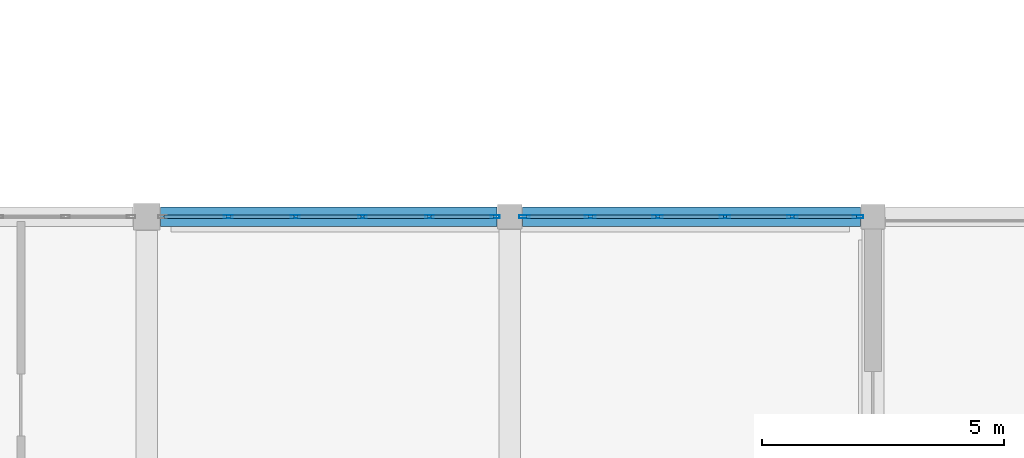
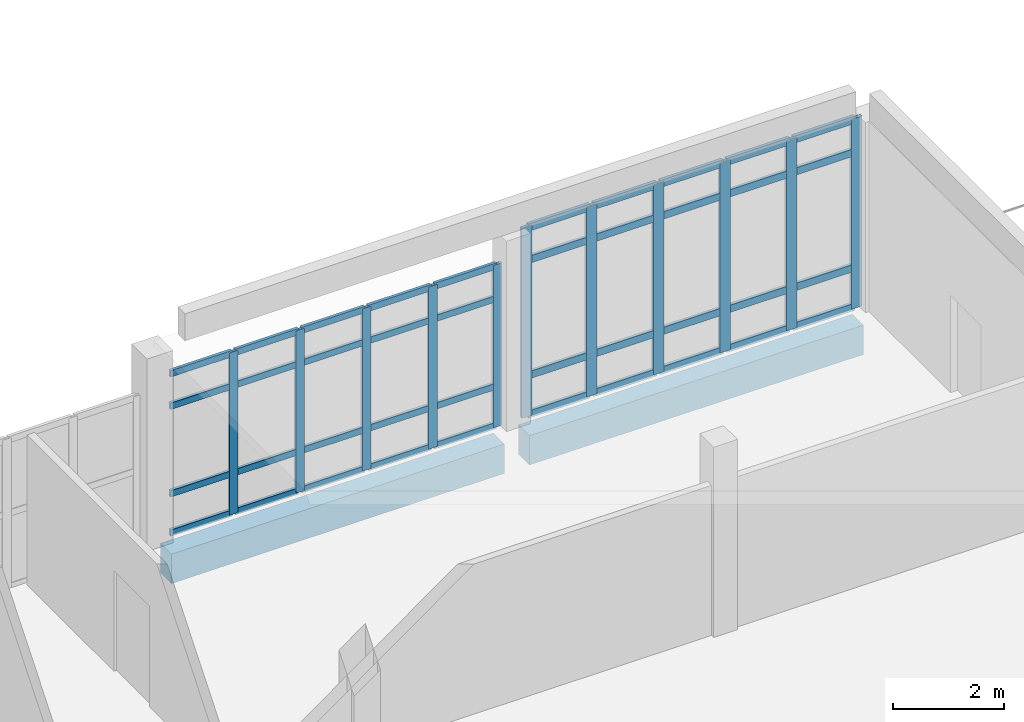
# One storey, part 70 of 164: 51 members, 2 beams, 2 elements without a shape of their own.
"""IFC4 building model written with IfcOpenShell, lengths in metres."""

from ifc_helpers import new_model, si_unit, direction, frame, origin, origin_2d, place, context, subcontext, project, spatial, rectangle, hollow_rectangle, extrude, material, layer, layer_set, material_profile, profile_set, type_object, element, aggregate, save


model = new_model("IFC4")

# Units and contexts
model_context = context("Model", 3, precision=1e-05, world=origin(), true_north=direction((0.0, 1.0)))
body_context = subcontext(model_context, "Body", "Model", "MODEL_VIEW")
ifc_project = project(units=[si_unit("LENGTHUNIT", "METRE"), si_unit("AREAUNIT", "SQUARE_METRE"), si_unit("VOLUMEUNIT", "CUBIC_METRE"), si_unit("PLANEANGLEUNIT", "RADIAN"), si_unit("MASSUNIT", "GRAM", prefix="KILO")], contexts=[model_context])

# Site, building, storey
site_placement = place(None, origin())
site = spatial("IfcSite", under=ifc_project, at=site_placement, CompositionType="ELEMENT")
building_placement = place(site_placement, origin())
building = spatial("IfcBuilding", under=site, at=building_placement, Name="Mawjan Specialist Oncology Clinic", CompositionType="ELEMENT")
storey_placement = place(building_placement, frame((0.0, 0.0, 5.0)))
storey = spatial("IfcBuildingStorey", under=building, at=storey_placement, Name="L01", CompositionType="ELEMENT", Elevation=5.0)

# Curtain wall, members
ifc_material_1 = material(Name="Unitised spectrally selective aluminium curtain wall", Category="aluminium")
ifc_layer_1 = layer(ifc_material_1, 0.179931640625, Name="Unitised spectrally selective aluminium curtain wall", Category="aluminium")
ifc_layer_set_1 = layer_set([ifc_layer_1], Name="Unitised spectrally selective aluminium curtain wall")
curtain_wall_type_1 = type_object("IfcCurtainWallType", Name="CW-79", PredefinedType="NOTDEFINED", material=ifc_layer_set_1)
curtain_wall_1_placement = place(storey_placement, origin())
curtain_wall_1 = element("IfcCurtainWall", 1, at=curtain_wall_1_placement, inside=storey, type_object=curtain_wall_type_1, Name="L01 Unitised Curtain Wall CW-L01-154", PredefinedType="NOTDEFINED")
ifc_material_2 = material(Name="Thermally broken aluminium 6063-T6", Category="aluminium")
ifc_material_profile_1 = material_profile(ifc_material_2, hollow_rectangle(XDim=0.06494140625, YDim=0.179931640625, WallThickness=0.00390625, at=origin_2d()), Name="ALU MULLION 180x65x4", Category="aluminium")
ifc_profile_set_1 = profile_set([ifc_material_profile_1], Name="Thermally broken aluminium 6063-T6")
member_type_1 = type_object("IfcMemberType", Name="CW-M180", PredefinedType="MULLION", material=ifc_profile_set_1)
member_1_placement = place(storey_placement, frame((16.681884765625, 75.800048828125, 0.0), z_axis=(0.0, 0.0, 1.0), x_axis=(0.0, 1.0, 0.0)))
member_1 = element("IfcMember", 2, at=member_1_placement, type_object=member_type_1, Name="CW-79 mullion 2", PredefinedType="MULLION", context=body_context, shape_type="SweptSolid", body=[
    extrude(hollow_rectangle(XDim=0.06494140625, YDim=0.179931640625, WallThickness=0.00390625, at=origin_2d()), origin(), (0.0, 0.0, 1.0), 3.5849609375),
])
member_2_placement = place(storey_placement, frame((18.069091796875, 75.800048828125, 0.0), z_axis=(0.0, 0.0, 1.0), x_axis=(0.0, 1.0, 0.0)))
member_2 = element("IfcMember", 3, at=member_2_placement, type_object=member_type_1, Name="CW-79 mullion 3", PredefinedType="MULLION", context=body_context, shape_type="SweptSolid", body=[
    extrude(hollow_rectangle(XDim=0.06494140625, YDim=0.179931640625, WallThickness=0.00390625, at=origin_2d()), origin(), (0.0, 0.0, 1.0), 3.5849609375),
])
member_3_placement = place(storey_placement, frame((19.4560546875, 75.800048828125, 0.0), z_axis=(0.0, 0.0, 1.0), x_axis=(0.0, 1.0, 0.0)))
member_3 = element("IfcMember", 4, at=member_3_placement, type_object=member_type_1, Name="CW-79 mullion 4", PredefinedType="MULLION", context=body_context, shape_type="SweptSolid", body=[
    extrude(hollow_rectangle(XDim=0.06494140625, YDim=0.179931640625, WallThickness=0.00390625, at=origin_2d()), origin(), (0.0, 0.0, 1.0), 3.5849609375),
])
member_4_placement = place(storey_placement, frame((20.843017578125, 75.800048828125, 0.0), z_axis=(0.0, 0.0, 1.0), x_axis=(0.0, 1.0, 0.0)))
member_4 = element("IfcMember", 5, at=member_4_placement, type_object=member_type_1, Name="CW-79 mullion 5", PredefinedType="MULLION", context=body_context, shape_type="SweptSolid", body=[
    extrude(hollow_rectangle(XDim=0.06494140625, YDim=0.179931640625, WallThickness=0.00390625, at=origin_2d()), origin(), (0.0, 0.0, 1.0), 3.5849609375),
])
member_5_placement = place(storey_placement, frame((22.197509765625, 75.800048828125, 0.0), z_axis=(0.0, 0.0, 1.0), x_axis=(0.0, 1.0, 0.0)))
member_5 = element("IfcMember", 6, at=member_5_placement, type_object=member_type_1, Name="CW-79 mullion 6", PredefinedType="MULLION", context=body_context, shape_type="SweptSolid", body=[
    extrude(hollow_rectangle(XDim=0.06494140625, YDim=0.179931640625, WallThickness=0.00390625, at=origin_2d()), origin(), (0.0, 0.0, 1.0), 3.5849609375),
])

ifc_material_3 = material(Name="Unitised spectrally selective aluminium curtain wall", Category="aluminium")
ifc_layer_2 = layer(ifc_material_3, 0.179931640625, Name="Unitised spectrally selective aluminium curtain wall", Category="aluminium")
ifc_layer_set_2 = layer_set([ifc_layer_2], Name="Unitised spectrally selective aluminium curtain wall")
curtain_wall_type_2 = type_object("IfcCurtainWallType", Name="CW-65", PredefinedType="NOTDEFINED", material=ifc_layer_set_2)
curtain_wall_2_placement = place(storey_placement, origin())
curtain_wall_2 = element("IfcCurtainWall", 7, at=curtain_wall_2_placement, inside=storey, type_object=curtain_wall_type_2, Name="L01 Unitised Curtain Wall CW-L01-155", PredefinedType="NOTDEFINED")
ifc_material_4 = material(Name="Thermally broken aluminium 6063-T6", Category="aluminium")
ifc_material_profile_2 = material_profile(ifc_material_4, hollow_rectangle(XDim=0.070068359375, YDim=0.219970703125, WallThickness=0.00390625, at=origin_2d()), Name="ALU MULLION 220x70x4", Category="aluminium")
ifc_profile_set_2 = profile_set([ifc_material_profile_2], Name="Thermally broken aluminium 6063-T6")
member_type_2 = type_object("IfcMemberType", Name="CW-M220", PredefinedType="MULLION", material=ifc_profile_set_2)
member_6_placement = place(storey_placement, frame((22.804931640625, 75.800048828125, 0.0), z_axis=(0.0, 0.0, 1.0), x_axis=(0.0, 1.0, 0.0)))
member_6 = element("IfcMember", 8, at=member_6_placement, type_object=member_type_2, Name="CW-65 mullion 1", PredefinedType="MULLION", context=body_context, shape_type="SweptSolid", body=[
    extrude(hollow_rectangle(XDim=0.070068359375, YDim=0.219970703125, WallThickness=0.00390625, at=origin_2d()), origin(), (0.0, 0.0, 1.0), 4.199951171875),
])
member_7_placement = place(storey_placement, frame((24.162109375, 75.800048828125, 0.0), z_axis=(0.0, 0.0, 1.0), x_axis=(0.0, 1.0, 0.0)))
member_7 = element("IfcMember", 9, at=member_7_placement, type_object=member_type_2, Name="CW-65 mullion 2", PredefinedType="MULLION", context=body_context, shape_type="SweptSolid", body=[
    extrude(hollow_rectangle(XDim=0.070068359375, YDim=0.219970703125, WallThickness=0.00390625, at=origin_2d()), origin(), (0.0, 0.0, 1.0), 4.199951171875),
])
member_8_placement = place(storey_placement, frame((25.553955078125, 75.800048828125, 0.0), z_axis=(0.0, 0.0, 1.0), x_axis=(0.0, 1.0, 0.0)))
member_8 = element("IfcMember", 10, at=member_8_placement, type_object=member_type_2, Name="CW-65 mullion 3", PredefinedType="MULLION", context=body_context, shape_type="SweptSolid", body=[
    extrude(hollow_rectangle(XDim=0.070068359375, YDim=0.219970703125, WallThickness=0.00390625, at=origin_2d()), origin(), (0.0, 0.0, 1.0), 4.199951171875),
])
member_9_placement = place(storey_placement, frame((26.946044921875, 75.800048828125, 0.0), z_axis=(0.0, 0.0, 1.0), x_axis=(0.0, 1.0, 0.0)))
member_9 = element("IfcMember", 11, at=member_9_placement, type_object=member_type_2, Name="CW-65 mullion 4", PredefinedType="MULLION", context=body_context, shape_type="SweptSolid", body=[
    extrude(hollow_rectangle(XDim=0.070068359375, YDim=0.219970703125, WallThickness=0.00390625, at=origin_2d()), origin(), (0.0, 0.0, 1.0), 4.199951171875),
])
member_10_placement = place(storey_placement, frame((28.337890625, 75.800048828125, 0.0), z_axis=(0.0, 0.0, 1.0), x_axis=(0.0, 1.0, 0.0)))
member_10 = element("IfcMember", 12, at=member_10_placement, type_object=member_type_2, Name="CW-65 mullion 5", PredefinedType="MULLION", context=body_context, shape_type="SweptSolid", body=[
    extrude(hollow_rectangle(XDim=0.070068359375, YDim=0.219970703125, WallThickness=0.00390625, at=origin_2d()), origin(), (0.0, 0.0, 1.0), 4.199951171875),
])
member_11_placement = place(storey_placement, frame((29.695068359375, 75.800048828125, 0.0), z_axis=(0.0, 0.0, 1.0), x_axis=(0.0, 1.0, 0.0)))
member_11 = element("IfcMember", 13, at=member_11_placement, type_object=member_type_2, Name="CW-65 mullion 6", PredefinedType="MULLION", context=body_context, shape_type="SweptSolid", body=[
    extrude(hollow_rectangle(XDim=0.070068359375, YDim=0.219970703125, WallThickness=0.00390625, at=origin_2d()), origin(), (0.0, 0.0, 1.0), 4.199951171875),
])

# Member
ifc_material_5 = material(Name="Thermally broken aluminium 6063-T6", Category="aluminium")
ifc_material_profile_3 = material_profile(ifc_material_5, hollow_rectangle(XDim=0.06494140625, YDim=0.139892578125, WallThickness=0.00390625, at=origin_2d()), Name="ALU TRANSOM 140x65x4", Category="aluminium")
ifc_profile_set_3 = profile_set([ifc_material_profile_3], Name="Thermally broken aluminium 6063-T6")
member_type_3 = type_object("IfcMemberType", Name="CW-T140", PredefinedType="USERDEFINED", material=ifc_profile_set_3)
member_12_placement = place(storey_placement, frame((15.360107421875, 75.800048828125, 0.032470703125), z_axis=(1.0, 0.0, 0.0), x_axis=(0.0, 1.0, 0.0)))
member_12 = element("IfcMember", 14, at=member_12_placement, type_object=member_type_3, Name="CW-79 transom 1.1", ObjectType="TRANSOM", PredefinedType="USERDEFINED", context=body_context, shape_type="SweptSolid", body=[
    extrude(hollow_rectangle(XDim=0.06494140625, YDim=0.139892578125, WallThickness=0.00390625, at=origin_2d()), origin(), (0.0, 0.0, 1.0), 1.289306640625),
])

member_13_placement = place(storey_placement, frame((15.360107421875, 75.800048828125, 0.89990234375), z_axis=(1.0, 0.0, 0.0), x_axis=(0.0, 1.0, 0.0)))
member_13 = element("IfcMember", 15, at=member_13_placement, type_object=member_type_3, Name="CW-79 transom 1.2", ObjectType="TRANSOM", PredefinedType="USERDEFINED", context=body_context, shape_type="SweptSolid", body=[
    extrude(hollow_rectangle(XDim=0.06494140625, YDim=0.139892578125, WallThickness=0.00390625, at=origin_2d()), origin(), (0.0, 0.0, 1.0), 1.289306640625),
])

member_14_placement = place(storey_placement, frame((15.360107421875, 75.800048828125, 2.8349609375), z_axis=(1.0, 0.0, 0.0), x_axis=(0.0, 1.0, 0.0)))
member_14 = element("IfcMember", 16, at=member_14_placement, type_object=member_type_3, Name="CW-79 transom 1.3", ObjectType="TRANSOM", PredefinedType="USERDEFINED", context=body_context, shape_type="SweptSolid", body=[
    extrude(hollow_rectangle(XDim=0.06494140625, YDim=0.139892578125, WallThickness=0.00390625, at=origin_2d()), origin(), (0.0, 0.0, 1.0), 1.289306640625),
])

member_15_placement = place(storey_placement, frame((15.360107421875, 75.800048828125, 3.552490234375), z_axis=(1.0, 0.0, 0.0), x_axis=(0.0, 1.0, 0.0)))
member_15 = element("IfcMember", 17, at=member_15_placement, type_object=member_type_3, Name="CW-79 transom 1.4", ObjectType="TRANSOM", PredefinedType="USERDEFINED", context=body_context, shape_type="SweptSolid", body=[
    extrude(hollow_rectangle(XDim=0.06494140625, YDim=0.139892578125, WallThickness=0.00390625, at=origin_2d()), origin(), (0.0, 0.0, 1.0), 1.289306640625),
])

member_16_placement = place(storey_placement, frame((16.714599609375, 75.800048828125, 0.032470703125), z_axis=(1.0, 0.0, 0.0), x_axis=(0.0, 1.0, 0.0)))
member_16 = element("IfcMember", 18, at=member_16_placement, type_object=member_type_3, Name="CW-79 transom 2.1", ObjectType="TRANSOM", PredefinedType="USERDEFINED", context=body_context, shape_type="SweptSolid", body=[
    extrude(hollow_rectangle(XDim=0.06494140625, YDim=0.139892578125, WallThickness=0.00390625, at=origin_2d()), origin(), (0.0, 0.0, 1.0), 1.322021484375),
])

member_17_placement = place(storey_placement, frame((16.714599609375, 75.800048828125, 0.89990234375), z_axis=(1.0, 0.0, 0.0), x_axis=(0.0, 1.0, 0.0)))
member_17 = element("IfcMember", 19, at=member_17_placement, type_object=member_type_3, Name="CW-79 transom 2.2", ObjectType="TRANSOM", PredefinedType="USERDEFINED", context=body_context, shape_type="SweptSolid", body=[
    extrude(hollow_rectangle(XDim=0.06494140625, YDim=0.139892578125, WallThickness=0.00390625, at=origin_2d()), origin(), (0.0, 0.0, 1.0), 1.322021484375),
])

member_18_placement = place(storey_placement, frame((16.714599609375, 75.800048828125, 2.8349609375), z_axis=(1.0, 0.0, 0.0), x_axis=(0.0, 1.0, 0.0)))
member_18 = element("IfcMember", 20, at=member_18_placement, type_object=member_type_3, Name="CW-79 transom 2.3", ObjectType="TRANSOM", PredefinedType="USERDEFINED", context=body_context, shape_type="SweptSolid", body=[
    extrude(hollow_rectangle(XDim=0.06494140625, YDim=0.139892578125, WallThickness=0.00390625, at=origin_2d()), origin(), (0.0, 0.0, 1.0), 1.322021484375),
])

member_19_placement = place(storey_placement, frame((16.714599609375, 75.800048828125, 3.552490234375), z_axis=(1.0, 0.0, 0.0), x_axis=(0.0, 1.0, 0.0)))
member_19 = element("IfcMember", 21, at=member_19_placement, type_object=member_type_3, Name="CW-79 transom 2.4", ObjectType="TRANSOM", PredefinedType="USERDEFINED", context=body_context, shape_type="SweptSolid", body=[
    extrude(hollow_rectangle(XDim=0.06494140625, YDim=0.139892578125, WallThickness=0.00390625, at=origin_2d()), origin(), (0.0, 0.0, 1.0), 1.322021484375),
])

member_20_placement = place(storey_placement, frame((18.1015625, 75.800048828125, 0.032470703125), z_axis=(1.0, 0.0, 0.0), x_axis=(0.0, 1.0, 0.0)))
member_20 = element("IfcMember", 22, at=member_20_placement, type_object=member_type_3, Name="CW-79 transom 3.1", ObjectType="TRANSOM", PredefinedType="USERDEFINED", context=body_context, shape_type="SweptSolid", body=[
    extrude(hollow_rectangle(XDim=0.06494140625, YDim=0.139892578125, WallThickness=0.00390625, at=origin_2d()), origin(), (0.0, 0.0, 1.0), 1.322021484375),
])

member_21_placement = place(storey_placement, frame((18.1015625, 75.800048828125, 0.89990234375), z_axis=(1.0, 0.0, 0.0), x_axis=(0.0, 1.0, 0.0)))
member_21 = element("IfcMember", 23, at=member_21_placement, type_object=member_type_3, Name="CW-79 transom 3.2", ObjectType="TRANSOM", PredefinedType="USERDEFINED", context=body_context, shape_type="SweptSolid", body=[
    extrude(hollow_rectangle(XDim=0.06494140625, YDim=0.139892578125, WallThickness=0.00390625, at=origin_2d()), origin(), (0.0, 0.0, 1.0), 1.322021484375),
])

member_22_placement = place(storey_placement, frame((18.1015625, 75.800048828125, 2.8349609375), z_axis=(1.0, 0.0, 0.0), x_axis=(0.0, 1.0, 0.0)))
member_22 = element("IfcMember", 24, at=member_22_placement, type_object=member_type_3, Name="CW-79 transom 3.3", ObjectType="TRANSOM", PredefinedType="USERDEFINED", context=body_context, shape_type="SweptSolid", body=[
    extrude(hollow_rectangle(XDim=0.06494140625, YDim=0.139892578125, WallThickness=0.00390625, at=origin_2d()), origin(), (0.0, 0.0, 1.0), 1.322021484375),
])

member_23_placement = place(storey_placement, frame((18.1015625, 75.800048828125, 3.552490234375), z_axis=(1.0, 0.0, 0.0), x_axis=(0.0, 1.0, 0.0)))
member_23 = element("IfcMember", 25, at=member_23_placement, type_object=member_type_3, Name="CW-79 transom 3.4", ObjectType="TRANSOM", PredefinedType="USERDEFINED", context=body_context, shape_type="SweptSolid", body=[
    extrude(hollow_rectangle(XDim=0.06494140625, YDim=0.139892578125, WallThickness=0.00390625, at=origin_2d()), origin(), (0.0, 0.0, 1.0), 1.322021484375),
])

member_24_placement = place(storey_placement, frame((19.488525390625, 75.800048828125, 0.032470703125), z_axis=(1.0, 0.0, 0.0), x_axis=(0.0, 1.0, 0.0)))
member_24 = element("IfcMember", 26, at=member_24_placement, type_object=member_type_3, Name="CW-79 transom 4.1", ObjectType="TRANSOM", PredefinedType="USERDEFINED", context=body_context, shape_type="SweptSolid", body=[
    extrude(hollow_rectangle(XDim=0.06494140625, YDim=0.139892578125, WallThickness=0.00390625, at=origin_2d()), origin(), (0.0, 0.0, 1.0), 1.322021484375),
])

member_25_placement = place(storey_placement, frame((19.488525390625, 75.800048828125, 0.89990234375), z_axis=(1.0, 0.0, 0.0), x_axis=(0.0, 1.0, 0.0)))
member_25 = element("IfcMember", 27, at=member_25_placement, type_object=member_type_3, Name="CW-79 transom 4.2", ObjectType="TRANSOM", PredefinedType="USERDEFINED", context=body_context, shape_type="SweptSolid", body=[
    extrude(hollow_rectangle(XDim=0.06494140625, YDim=0.139892578125, WallThickness=0.00390625, at=origin_2d()), origin(), (0.0, 0.0, 1.0), 1.322021484375),
])

member_26_placement = place(storey_placement, frame((19.488525390625, 75.800048828125, 2.8349609375), z_axis=(1.0, 0.0, 0.0), x_axis=(0.0, 1.0, 0.0)))
member_26 = element("IfcMember", 28, at=member_26_placement, type_object=member_type_3, Name="CW-79 transom 4.3", ObjectType="TRANSOM", PredefinedType="USERDEFINED", context=body_context, shape_type="SweptSolid", body=[
    extrude(hollow_rectangle(XDim=0.06494140625, YDim=0.139892578125, WallThickness=0.00390625, at=origin_2d()), origin(), (0.0, 0.0, 1.0), 1.322021484375),
])

member_27_placement = place(storey_placement, frame((19.488525390625, 75.800048828125, 3.552490234375), z_axis=(1.0, 0.0, 0.0), x_axis=(0.0, 1.0, 0.0)))
member_27 = element("IfcMember", 29, at=member_27_placement, type_object=member_type_3, Name="CW-79 transom 4.4", ObjectType="TRANSOM", PredefinedType="USERDEFINED", context=body_context, shape_type="SweptSolid", body=[
    extrude(hollow_rectangle(XDim=0.06494140625, YDim=0.139892578125, WallThickness=0.00390625, at=origin_2d()), origin(), (0.0, 0.0, 1.0), 1.322021484375),
])

member_28_placement = place(storey_placement, frame((20.87548828125, 75.800048828125, 0.032470703125), z_axis=(1.0, 0.0, 0.0), x_axis=(0.0, 1.0, 0.0)))
member_28 = element("IfcMember", 30, at=member_28_placement, type_object=member_type_3, Name="CW-79 transom 5.1", ObjectType="TRANSOM", PredefinedType="USERDEFINED", context=body_context, shape_type="SweptSolid", body=[
    extrude(hollow_rectangle(XDim=0.06494140625, YDim=0.139892578125, WallThickness=0.00390625, at=origin_2d()), origin(), (0.0, 0.0, 1.0), 1.28955078125),
])

member_29_placement = place(storey_placement, frame((20.87548828125, 75.800048828125, 0.89990234375), z_axis=(1.0, 0.0, 0.0), x_axis=(0.0, 1.0, 0.0)))
member_29 = element("IfcMember", 31, at=member_29_placement, type_object=member_type_3, Name="CW-79 transom 5.2", ObjectType="TRANSOM", PredefinedType="USERDEFINED", context=body_context, shape_type="SweptSolid", body=[
    extrude(hollow_rectangle(XDim=0.06494140625, YDim=0.139892578125, WallThickness=0.00390625, at=origin_2d()), origin(), (0.0, 0.0, 1.0), 1.28955078125),
])

member_30_placement = place(storey_placement, frame((20.87548828125, 75.800048828125, 2.8349609375), z_axis=(1.0, 0.0, 0.0), x_axis=(0.0, 1.0, 0.0)))
member_30 = element("IfcMember", 32, at=member_30_placement, type_object=member_type_3, Name="CW-79 transom 5.3", ObjectType="TRANSOM", PredefinedType="USERDEFINED", context=body_context, shape_type="SweptSolid", body=[
    extrude(hollow_rectangle(XDim=0.06494140625, YDim=0.139892578125, WallThickness=0.00390625, at=origin_2d()), origin(), (0.0, 0.0, 1.0), 1.28955078125),
])

member_31_placement = place(storey_placement, frame((20.87548828125, 75.800048828125, 3.552490234375), z_axis=(1.0, 0.0, 0.0), x_axis=(0.0, 1.0, 0.0)))
member_31 = element("IfcMember", 33, at=member_31_placement, type_object=member_type_3, Name="CW-79 transom 5.4", ObjectType="TRANSOM", PredefinedType="USERDEFINED", context=body_context, shape_type="SweptSolid", body=[
    extrude(hollow_rectangle(XDim=0.06494140625, YDim=0.139892578125, WallThickness=0.00390625, at=origin_2d()), origin(), (0.0, 0.0, 1.0), 1.28955078125),
])

aggregate(curtain_wall_1, [member_1, member_2, member_3, member_4, member_5, member_12, member_13, member_14, member_15, member_16, member_17, member_18, member_19, member_20, member_21, member_22, member_23, member_24, member_25, member_26, member_27, member_28, member_29, member_30, member_31])

ifc_material_6 = material(Name="Thermally broken aluminium 6063-T6", Category="aluminium")
ifc_material_profile_4 = material_profile(ifc_material_6, hollow_rectangle(XDim=0.070068359375, YDim=0.159912109375, WallThickness=0.00390625, at=origin_2d()), Name="ALU TRANSOM 160x70x4", Category="aluminium")
ifc_profile_set_4 = profile_set([ifc_material_profile_4], Name="Thermally broken aluminium 6063-T6")
member_type_4 = type_object("IfcMemberType", Name="CW-T160", PredefinedType="USERDEFINED", material=ifc_profile_set_4)
member_32_placement = place(storey_placement, frame((22.840087890625, 75.800048828125, 0.034912109375), z_axis=(1.0, 0.0, 0.0), x_axis=(0.0, 1.0, 0.0)))
member_32 = element("IfcMember", 34, at=member_32_placement, type_object=member_type_4, Name="CW-65 transom 1.1", ObjectType="TRANSOM", PredefinedType="USERDEFINED", context=body_context, shape_type="SweptSolid", body=[
    extrude(hollow_rectangle(XDim=0.070068359375, YDim=0.159912109375, WallThickness=0.00390625, at=origin_2d()), origin(), (0.0, 0.0, 1.0), 1.286865234375),
])

member_33_placement = place(storey_placement, frame((22.840087890625, 75.800048828125, 0.89990234375), z_axis=(1.0, 0.0, 0.0), x_axis=(0.0, 1.0, 0.0)))
member_33 = element("IfcMember", 35, at=member_33_placement, type_object=member_type_4, Name="CW-65 transom 1.2", ObjectType="TRANSOM", PredefinedType="USERDEFINED", context=body_context, shape_type="SweptSolid", body=[
    extrude(hollow_rectangle(XDim=0.070068359375, YDim=0.159912109375, WallThickness=0.00390625, at=origin_2d()), origin(), (0.0, 0.0, 1.0), 1.286865234375),
])

member_34_placement = place(storey_placement, frame((22.840087890625, 75.800048828125, 3.449951171875), z_axis=(1.0, 0.0, 0.0), x_axis=(0.0, 1.0, 0.0)))
member_34 = element("IfcMember", 36, at=member_34_placement, type_object=member_type_4, Name="CW-65 transom 1.3", ObjectType="TRANSOM", PredefinedType="USERDEFINED", context=body_context, shape_type="SweptSolid", body=[
    extrude(hollow_rectangle(XDim=0.070068359375, YDim=0.159912109375, WallThickness=0.00390625, at=origin_2d()), origin(), (0.0, 0.0, 1.0), 1.286865234375),
])

member_35_placement = place(storey_placement, frame((22.840087890625, 75.800048828125, 4.1650390625), z_axis=(1.0, 0.0, 0.0), x_axis=(0.0, 1.0, 0.0)))
member_35 = element("IfcMember", 37, at=member_35_placement, type_object=member_type_4, Name="CW-65 transom 1.4", ObjectType="TRANSOM", PredefinedType="USERDEFINED", context=body_context, shape_type="SweptSolid", body=[
    extrude(hollow_rectangle(XDim=0.070068359375, YDim=0.159912109375, WallThickness=0.00390625, at=origin_2d()), origin(), (0.0, 0.0, 1.0), 1.286865234375),
])

member_36_placement = place(storey_placement, frame((24.197021484375, 75.800048828125, 0.034912109375), z_axis=(1.0, 0.0, 0.0), x_axis=(0.0, 1.0, 0.0)))
member_36 = element("IfcMember", 38, at=member_36_placement, type_object=member_type_4, Name="CW-65 transom 2.1", ObjectType="TRANSOM", PredefinedType="USERDEFINED", context=body_context, shape_type="SweptSolid", body=[
    extrude(hollow_rectangle(XDim=0.070068359375, YDim=0.159912109375, WallThickness=0.00390625, at=origin_2d()), origin(), (0.0, 0.0, 1.0), 1.322021484375),
])

member_37_placement = place(storey_placement, frame((24.197021484375, 75.800048828125, 0.89990234375), z_axis=(1.0, 0.0, 0.0), x_axis=(0.0, 1.0, 0.0)))
member_37 = element("IfcMember", 39, at=member_37_placement, type_object=member_type_4, Name="CW-65 transom 2.2", ObjectType="TRANSOM", PredefinedType="USERDEFINED", context=body_context, shape_type="SweptSolid", body=[
    extrude(hollow_rectangle(XDim=0.070068359375, YDim=0.159912109375, WallThickness=0.00390625, at=origin_2d()), origin(), (0.0, 0.0, 1.0), 1.322021484375),
])

member_38_placement = place(storey_placement, frame((24.197021484375, 75.800048828125, 3.449951171875), z_axis=(1.0, 0.0, 0.0), x_axis=(0.0, 1.0, 0.0)))
member_38 = element("IfcMember", 40, at=member_38_placement, type_object=member_type_4, Name="CW-65 transom 2.3", ObjectType="TRANSOM", PredefinedType="USERDEFINED", context=body_context, shape_type="SweptSolid", body=[
    extrude(hollow_rectangle(XDim=0.070068359375, YDim=0.159912109375, WallThickness=0.00390625, at=origin_2d()), origin(), (0.0, 0.0, 1.0), 1.322021484375),
])

member_39_placement = place(storey_placement, frame((24.197021484375, 75.800048828125, 4.1650390625), z_axis=(1.0, 0.0, 0.0), x_axis=(0.0, 1.0, 0.0)))
member_39 = element("IfcMember", 41, at=member_39_placement, type_object=member_type_4, Name="CW-65 transom 2.4", ObjectType="TRANSOM", PredefinedType="USERDEFINED", context=body_context, shape_type="SweptSolid", body=[
    extrude(hollow_rectangle(XDim=0.070068359375, YDim=0.159912109375, WallThickness=0.00390625, at=origin_2d()), origin(), (0.0, 0.0, 1.0), 1.322021484375),
])

member_40_placement = place(storey_placement, frame((25.589111328125, 75.800048828125, 0.034912109375), z_axis=(1.0, 0.0, 0.0), x_axis=(0.0, 1.0, 0.0)))
member_40 = element("IfcMember", 42, at=member_40_placement, type_object=member_type_4, Name="CW-65 transom 3.1", ObjectType="TRANSOM", PredefinedType="USERDEFINED", context=body_context, shape_type="SweptSolid", body=[
    extrude(hollow_rectangle(XDim=0.070068359375, YDim=0.159912109375, WallThickness=0.00390625, at=origin_2d()), origin(), (0.0, 0.0, 1.0), 1.32177734375),
])

member_41_placement = place(storey_placement, frame((25.589111328125, 75.800048828125, 0.89990234375), z_axis=(1.0, 0.0, 0.0), x_axis=(0.0, 1.0, 0.0)))
member_41 = element("IfcMember", 43, at=member_41_placement, type_object=member_type_4, Name="CW-65 transom 3.2", ObjectType="TRANSOM", PredefinedType="USERDEFINED", context=body_context, shape_type="SweptSolid", body=[
    extrude(hollow_rectangle(XDim=0.070068359375, YDim=0.159912109375, WallThickness=0.00390625, at=origin_2d()), origin(), (0.0, 0.0, 1.0), 1.32177734375),
])

member_42_placement = place(storey_placement, frame((25.589111328125, 75.800048828125, 3.449951171875), z_axis=(1.0, 0.0, 0.0), x_axis=(0.0, 1.0, 0.0)))
member_42 = element("IfcMember", 44, at=member_42_placement, type_object=member_type_4, Name="CW-65 transom 3.3", ObjectType="TRANSOM", PredefinedType="USERDEFINED", context=body_context, shape_type="SweptSolid", body=[
    extrude(hollow_rectangle(XDim=0.070068359375, YDim=0.159912109375, WallThickness=0.00390625, at=origin_2d()), origin(), (0.0, 0.0, 1.0), 1.32177734375),
])

member_43_placement = place(storey_placement, frame((25.589111328125, 75.800048828125, 4.1650390625), z_axis=(1.0, 0.0, 0.0), x_axis=(0.0, 1.0, 0.0)))
member_43 = element("IfcMember", 45, at=member_43_placement, type_object=member_type_4, Name="CW-65 transom 3.4", ObjectType="TRANSOM", PredefinedType="USERDEFINED", context=body_context, shape_type="SweptSolid", body=[
    extrude(hollow_rectangle(XDim=0.070068359375, YDim=0.159912109375, WallThickness=0.00390625, at=origin_2d()), origin(), (0.0, 0.0, 1.0), 1.32177734375),
])

member_44_placement = place(storey_placement, frame((26.98095703125, 75.800048828125, 0.034912109375), z_axis=(1.0, 0.0, 0.0), x_axis=(0.0, 1.0, 0.0)))
member_44 = element("IfcMember", 46, at=member_44_placement, type_object=member_type_4, Name="CW-65 transom 4.1", ObjectType="TRANSOM", PredefinedType="USERDEFINED", context=body_context, shape_type="SweptSolid", body=[
    extrude(hollow_rectangle(XDim=0.070068359375, YDim=0.159912109375, WallThickness=0.00390625, at=origin_2d()), origin(), (0.0, 0.0, 1.0), 1.322021484375),
])

member_45_placement = place(storey_placement, frame((26.98095703125, 75.800048828125, 0.89990234375), z_axis=(1.0, 0.0, 0.0), x_axis=(0.0, 1.0, 0.0)))
member_45 = element("IfcMember", 47, at=member_45_placement, type_object=member_type_4, Name="CW-65 transom 4.2", ObjectType="TRANSOM", PredefinedType="USERDEFINED", context=body_context, shape_type="SweptSolid", body=[
    extrude(hollow_rectangle(XDim=0.070068359375, YDim=0.159912109375, WallThickness=0.00390625, at=origin_2d()), origin(), (0.0, 0.0, 1.0), 1.322021484375),
])

member_46_placement = place(storey_placement, frame((26.98095703125, 75.800048828125, 3.449951171875), z_axis=(1.0, 0.0, 0.0), x_axis=(0.0, 1.0, 0.0)))
member_46 = element("IfcMember", 48, at=member_46_placement, type_object=member_type_4, Name="CW-65 transom 4.3", ObjectType="TRANSOM", PredefinedType="USERDEFINED", context=body_context, shape_type="SweptSolid", body=[
    extrude(hollow_rectangle(XDim=0.070068359375, YDim=0.159912109375, WallThickness=0.00390625, at=origin_2d()), origin(), (0.0, 0.0, 1.0), 1.322021484375),
])

member_47_placement = place(storey_placement, frame((26.98095703125, 75.800048828125, 4.1650390625), z_axis=(1.0, 0.0, 0.0), x_axis=(0.0, 1.0, 0.0)))
member_47 = element("IfcMember", 49, at=member_47_placement, type_object=member_type_4, Name="CW-65 transom 4.4", ObjectType="TRANSOM", PredefinedType="USERDEFINED", context=body_context, shape_type="SweptSolid", body=[
    extrude(hollow_rectangle(XDim=0.070068359375, YDim=0.159912109375, WallThickness=0.00390625, at=origin_2d()), origin(), (0.0, 0.0, 1.0), 1.322021484375),
])

member_48_placement = place(storey_placement, frame((28.373046875, 75.800048828125, 0.034912109375), z_axis=(1.0, 0.0, 0.0), x_axis=(0.0, 1.0, 0.0)))
member_48 = element("IfcMember", 50, at=member_48_placement, type_object=member_type_4, Name="CW-65 transom 5.1", ObjectType="TRANSOM", PredefinedType="USERDEFINED", context=body_context, shape_type="SweptSolid", body=[
    extrude(hollow_rectangle(XDim=0.070068359375, YDim=0.159912109375, WallThickness=0.00390625, at=origin_2d()), origin(), (0.0, 0.0, 1.0), 1.286865234375),
])

member_49_placement = place(storey_placement, frame((28.373046875, 75.800048828125, 0.89990234375), z_axis=(1.0, 0.0, 0.0), x_axis=(0.0, 1.0, 0.0)))
member_49 = element("IfcMember", 51, at=member_49_placement, type_object=member_type_4, Name="CW-65 transom 5.2", ObjectType="TRANSOM", PredefinedType="USERDEFINED", context=body_context, shape_type="SweptSolid", body=[
    extrude(hollow_rectangle(XDim=0.070068359375, YDim=0.159912109375, WallThickness=0.00390625, at=origin_2d()), origin(), (0.0, 0.0, 1.0), 1.286865234375),
])

member_50_placement = place(storey_placement, frame((28.373046875, 75.800048828125, 3.449951171875), z_axis=(1.0, 0.0, 0.0), x_axis=(0.0, 1.0, 0.0)))
member_50 = element("IfcMember", 52, at=member_50_placement, type_object=member_type_4, Name="CW-65 transom 5.3", ObjectType="TRANSOM", PredefinedType="USERDEFINED", context=body_context, shape_type="SweptSolid", body=[
    extrude(hollow_rectangle(XDim=0.070068359375, YDim=0.159912109375, WallThickness=0.00390625, at=origin_2d()), origin(), (0.0, 0.0, 1.0), 1.286865234375),
])

member_51_placement = place(storey_placement, frame((28.373046875, 75.800048828125, 4.1650390625), z_axis=(1.0, 0.0, 0.0), x_axis=(0.0, 1.0, 0.0)))
member_51 = element("IfcMember", 53, at=member_51_placement, type_object=member_type_4, Name="CW-65 transom 5.4", ObjectType="TRANSOM", PredefinedType="USERDEFINED", context=body_context, shape_type="SweptSolid", body=[
    extrude(hollow_rectangle(XDim=0.070068359375, YDim=0.159912109375, WallThickness=0.00390625, at=origin_2d()), origin(), (0.0, 0.0, 1.0), 1.286865234375),
])

aggregate(curtain_wall_2, [member_6, member_7, member_8, member_9, member_10, member_11, member_32, member_33, member_34, member_35, member_36, member_37, member_38, member_39, member_40, member_41, member_42, member_43, member_44, member_45, member_46, member_47, member_48, member_49, member_50, member_51])

# Beams
ifc_material_7 = material(Name="Concrete C45/55", Category="concrete")
ifc_material_profile_5 = material_profile(ifc_material_7, rectangle(XDim=0.39990234375, YDim=0.64990234375, at=origin_2d()), Name="RC BM 400x650", Category="concrete")
ifc_profile_set_5 = profile_set([ifc_material_profile_5], Name="Concrete C45/55")
beam_type = type_object("IfcBeamType", Name="SP-400x650", PredefinedType="SPANDREL", material=ifc_profile_set_5)
beam_1_placement = place(storey_placement, frame((15.284912109375, 75.800048828125, -0.625), z_axis=(1.0, 0.0, 0.0), x_axis=(0.0, 1.0, 0.0)))
element("IfcBeam", 54, at=beam_1_placement, inside=storey, type_object=beam_type, Name="L01 Spandrel Beam BM-L01-0321", PredefinedType="SPANDREL", context=body_context, shape_type="SweptSolid", body=[
    extrude(rectangle(XDim=0.39990234375, YDim=0.64990234375, at=origin_2d()), origin(), (0.0, 0.0, 1.0), 6.955078125),
])
beam_2_placement = place(storey_placement, frame((22.760009765625, 75.800048828125, -0.625), z_axis=(1.0, 0.0, 0.0), x_axis=(0.0, 1.0, 0.0)))
element("IfcBeam", 55, at=beam_2_placement, inside=storey, type_object=beam_type, Name="L01 Spandrel Beam BM-L01-0322", PredefinedType="SPANDREL", context=body_context, shape_type="SweptSolid", body=[
    extrude(rectangle(XDim=0.39990234375, YDim=0.64990234375, at=origin_2d()), origin(), (0.0, 0.0, 1.0), 6.97998046875),
])

save(model, "model.ifc")
